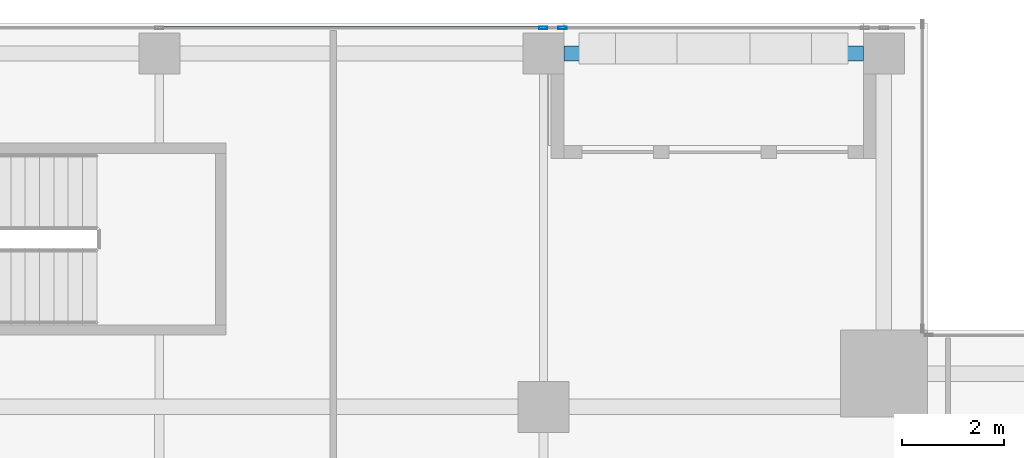
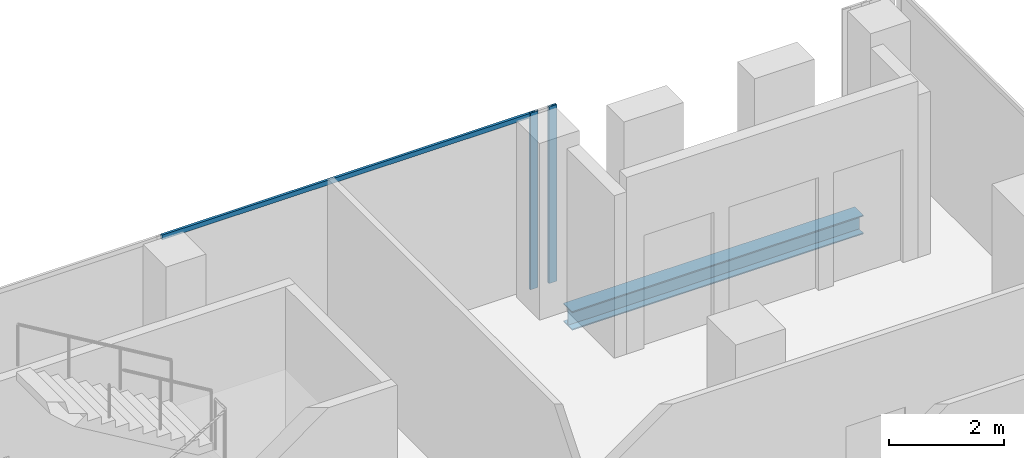
# One storey, part 15 of 28: 3 members, 1 beam, 1 element without a shape of its own.
"""IFC4 building model written with IfcOpenShell, lengths in metres."""

from ifc_helpers import new_model, si_unit, direction, frame, origin, origin_2d, place, context, subcontext, project, spatial, hollow_rectangle, i_section, extrude, source, transform, mapped, material, material_profile, profile_set, type_object, element, aggregate, save


model = new_model("IFC4")

# Units and contexts
model_context = context("Model", 3, precision=1e-05, world=origin(), true_north=direction((0.0, 1.0)))
body_context = subcontext(model_context, "Body", "Model", "MODEL_VIEW")
ifc_project = project(units=[si_unit("LENGTHUNIT", "METRE"), si_unit("AREAUNIT", "SQUARE_METRE"), si_unit("VOLUMEUNIT", "CUBIC_METRE"), si_unit("PLANEANGLEUNIT", "RADIAN"), si_unit("MASSUNIT", "GRAM", prefix="KILO")], contexts=[model_context])

# Site, building, storey
site_placement = place(None, origin())
site = spatial("IfcSite", under=ifc_project, at=site_placement, CompositionType="ELEMENT")
building_placement = place(site_placement, origin())
building = spatial("IfcBuilding", under=site, at=building_placement, Name="Khomas Fold Tower", CompositionType="ELEMENT")
storey_placement = place(building_placement, frame((0.0, 0.0, 298.199951171875)))
storey = spatial("IfcBuildingStorey", under=building, at=storey_placement, Name="L67", CompositionType="ELEMENT", Elevation=298.199951171875)

# Beam
ifc_material_1 = material(Name="Steel S355", Category="steel")
ifc_material_profile_1 = material_profile(ifc_material_1, i_section(OverallWidth=0.300048828125, OverallDepth=0.39990234375, WebThickness=0.013427734375, FlangeThickness=0.02392578125, at=origin_2d()), Name="HE 400 B")
ifc_profile_set_1 = profile_set([ifc_material_profile_1], Name="Steel S355")
beam_type = type_object("IfcBeamType", Name="HE 400 B spandrel SB5", PredefinedType="SPANDREL", material=ifc_profile_set_1)
shared_shape_1 = source(origin(), body_context, "Body", "SweptSolid", [
    extrude(i_section(OverallWidth=0.300048828125, OverallDepth=0.39990234375, WebThickness=0.013427734375, FlangeThickness=0.02392578125, at=origin_2d()), origin(), (0.0, 0.0, 1.0), 5.85009765625),
])
beam_placement = place(storey_placement, frame((34.89990234375, 47.39990234375, -0.449951171875), z_axis=(1.0, 0.0, 0.0), x_axis=(0.0, 1.0, 0.0)))
element("IfcBeam", 1, at=beam_placement, inside=storey, type_object=beam_type, Name="SB5", PredefinedType="SPANDREL", context=body_context, shape_type="MappedRepresentation", body=[
    mapped(shared_shape_1, transform((0.0, 0.0, 0.0))),
])

# Curtain wall, members
ifc_material_2 = material(Name="Aluminium framed double glazing", Category="aluminium")
curtain_wall_type = type_object("IfcCurtainWallType", Name="SK-Unitised clear-glass wall, upper floors CW3", PredefinedType="NOTDEFINED", material=ifc_material_2)
curtain_wall_placement = place(storey_placement, origin())
curtain_wall = element("IfcCurtainWall", 2, at=curtain_wall_placement, inside=storey, type_object=curtain_wall_type, Name="CW3 run L67 06-1", PredefinedType="NOTDEFINED")
ifc_material_3 = material(Name="Aluminium", Category="aluminium")
ifc_material_profile_2 = material_profile(ifc_material_3, hollow_rectangle(XDim=0.050048828125, YDim=0.159912109375, WallThickness=0.00390625, at=origin_2d()), Name="SK-Unitised clear-glass wall, upper floors mullion CW3-M")
ifc_profile_set_2 = profile_set([ifc_material_profile_2], Name="Aluminium")
member_type_1 = type_object("IfcMemberType", Name="SK-Unitised clear-glass wall, upper floors mullion CW3-M", PredefinedType="MULLION", material=ifc_profile_set_2)
shared_shape_2 = source(origin(), body_context, "Body", "SweptSolid", [
    extrude(hollow_rectangle(XDim=0.050048828125, YDim=0.159912109375, WallThickness=0.00390625, at=origin_2d()), origin(), (0.0, 0.0, 1.0), 3.75),
])
member_1_placement = place(storey_placement, frame((34.875, 47.89990234375, 0.0), z_axis=(0.0, 0.0, 1.0), x_axis=(0.0, -1.0, 0.0)))
member_1 = element("IfcMember", 3, at=member_1_placement, type_object=member_type_1, Name="CW3 mullion 1", PredefinedType="MULLION", context=body_context, shape_type="MappedRepresentation", body=[
    mapped(shared_shape_2, transform((0.0, 0.0, 0.0))),
])
member_2_placement = place(storey_placement, frame((34.5, 47.89990234375, 0.0), z_axis=(0.0, 0.0, 1.0), x_axis=(0.0, -1.0, 0.0)))
member_2 = element("IfcMember", 4, at=member_2_placement, type_object=member_type_1, Name="CW3 mullion 2", PredefinedType="MULLION", context=body_context, shape_type="MappedRepresentation", body=[
    mapped(shared_shape_2, transform((0.0, 0.0, 0.0))),
])
ifc_material_4 = material(Name="Aluminium", Category="aluminium")
ifc_material_profile_3 = material_profile(ifc_material_4, hollow_rectangle(XDim=0.050048828125, YDim=0.10009765625, WallThickness=0.00390625, at=origin_2d()), Name="SK-Unitised clear-glass wall, upper floors transom CW3-T")
ifc_profile_set_3 = profile_set([ifc_material_profile_3], Name="Aluminium")
member_type_2 = type_object("IfcMemberType", Name="SK-Unitised clear-glass wall, upper floors transom CW3-T", PredefinedType="USERDEFINED", material=ifc_profile_set_3)
shared_shape_3 = source(origin(), body_context, "Body", "SweptSolid", [
    extrude(hollow_rectangle(XDim=0.050048828125, YDim=0.10009765625, WallThickness=0.00390625, at=origin_2d()), origin(), (0.0, 0.0, 1.0), 7.4501953125),
])
member_3_placement = place(storey_placement, frame((34.47509765625, 47.89990234375, 3.699951171875), z_axis=(-1.0, 0.0, 0.0), x_axis=(0.0, -1.0, 0.0)))
member_3 = element("IfcMember", 5, at=member_3_placement, type_object=member_type_2, Name="CW3 transom 2", ObjectType="TRANSOM", PredefinedType="USERDEFINED", context=body_context, shape_type="MappedRepresentation", body=[
    mapped(shared_shape_3, transform((0.0, 0.0, 0.0))),
])
aggregate(curtain_wall, [member_1, member_2, member_3])

save(model, "model.ifc")
